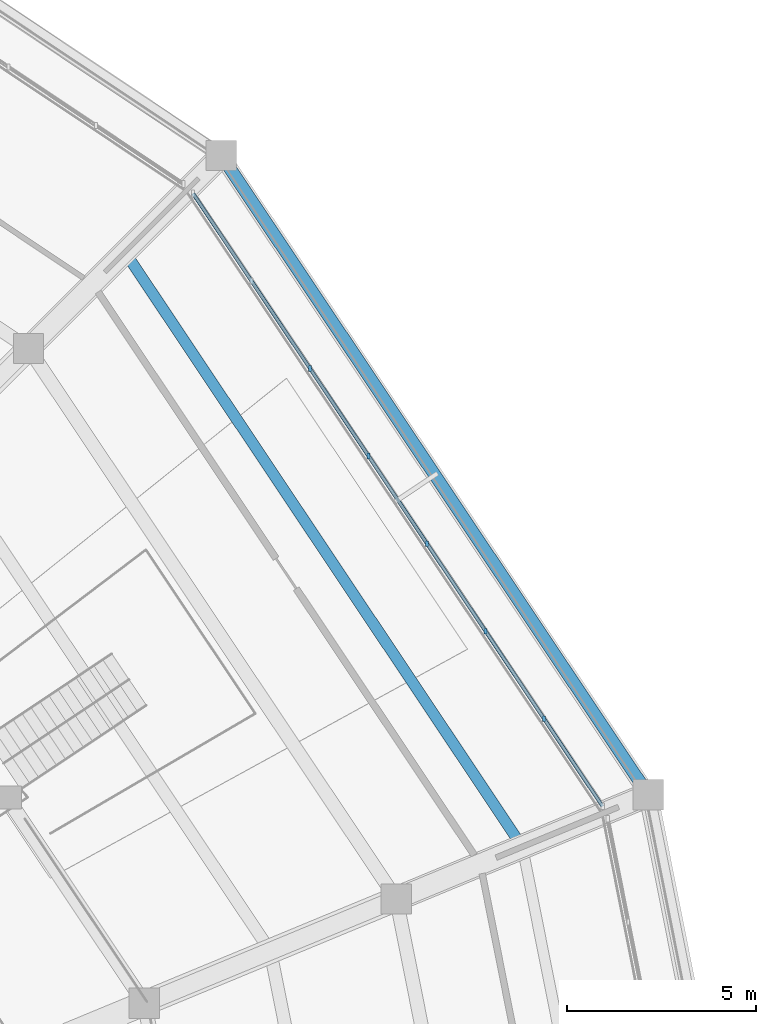
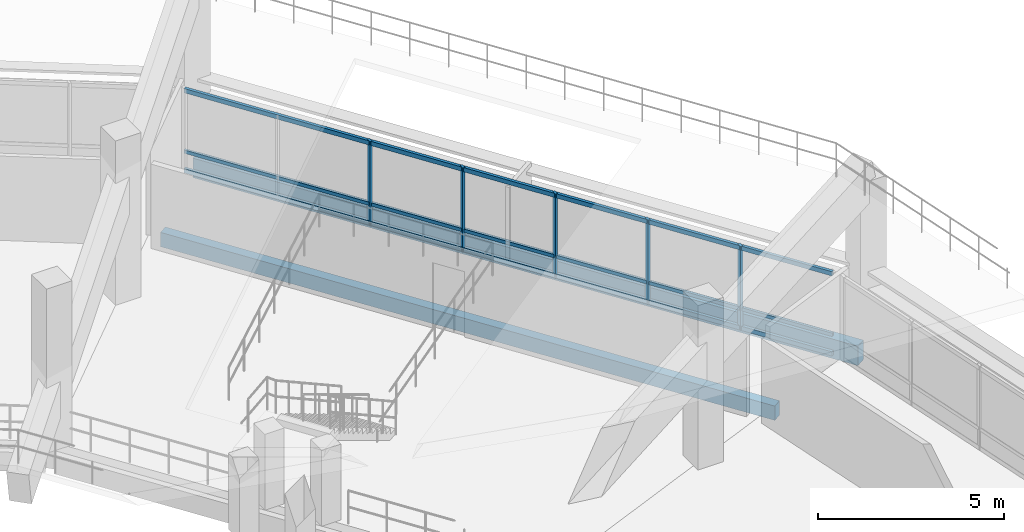
# One storey, part 38 of 96: 8 members, 2 beams, 1 element without a shape of its own.
"""IFC4 building model written with IfcOpenShell, lengths in metres."""

from ifc_helpers import new_model, si_unit, direction, frame, origin, origin_2d, place, context, subcontext, project, spatial, rectangle, extrude, material, material_profile, profile_set, type_object, element, aggregate, save


model = new_model("IFC4")

# Units and contexts
model_context = context("Model", 3, precision=1e-05, world=origin(), true_north=direction((0.0, 1.0)))
body_context = subcontext(model_context, "Body", "Model", "MODEL_VIEW")
ifc_project = project(units=[si_unit("LENGTHUNIT", "METRE"), si_unit("AREAUNIT", "SQUARE_METRE"), si_unit("VOLUMEUNIT", "CUBIC_METRE"), si_unit("PLANEANGLEUNIT", "RADIAN"), si_unit("MASSUNIT", "GRAM", prefix="KILO")], contexts=[model_context])

# Site, building, storey
site_placement = place(None, origin())
site = spatial("IfcSite", under=ifc_project, at=site_placement, CompositionType="ELEMENT")
building_placement = place(site_placement, origin())
building = spatial("IfcBuilding", under=site, at=building_placement, Name="Candeia Ridge Stadium", CompositionType="ELEMENT")
storey_placement = place(building_placement, frame((0.0, 0.0, 21.60009765625)))
storey = spatial("IfcBuildingStorey", under=building, at=storey_placement, Name="L04", CompositionType="ELEMENT", Elevation=21.60009765625)

# Curtain wall, members
ifc_material_1 = material(Name="Aluminium Anodized Warm Bronze", Category="aluminium")
curtain_wall_type = type_object("IfcCurtainWallType", Name="Concourse Recessed Unitised Curtain Wall", PredefinedType="NOTDEFINED", material=ifc_material_1)
curtain_wall_placement = place(storey_placement, origin())
curtain_wall = element("IfcCurtainWall", 1, at=curtain_wall_placement, inside=storey, type_object=curtain_wall_type, Name="Unitised curtain wall CW-BWL-L04-33", PredefinedType="NOTDEFINED")
ifc_material_profile_1 = material_profile(ifc_material_1, rectangle(XDim=0.074951171875, YDim=0.14990234375, at=origin_2d()), Name="CWM-75x150", Category="aluminium")
ifc_profile_set_1 = profile_set([ifc_material_profile_1], Name="Aluminium Anodized Warm Bronze")
member_type_1 = type_object("IfcMemberType", Name="Curtain Wall Secondary Mullion 75x150", PredefinedType="MULLION", material=ifc_profile_set_1)
member_1_placement = place(storey_placement, frame((186.28857421875, 116.901611328125, 0.0), z_axis=(0.0, 0.0, 1.0), x_axis=(1.0, 0.0, 0.0)))
member_1 = element("IfcMember", 2, at=member_1_placement, type_object=member_type_1, Name="Curtain wall mullion CW-BWL-L04-33-M1", PredefinedType="MULLION", context=body_context, shape_type="SweptSolid", body=[
    extrude(rectangle(XDim=0.074951171875, YDim=0.14990234375, at=origin_2d()), origin(), (0.0, 0.0, 1.0), 2.772216796875),
])
member_2_placement = place(storey_placement, frame((184.743896484375, 119.21337890625, 0.0), z_axis=(0.0, 0.0, 1.0), x_axis=(1.0, 0.0, 0.0)))
member_2 = element("IfcMember", 3, at=member_2_placement, type_object=member_type_1, Name="Curtain wall mullion CW-BWL-L04-33-M2", PredefinedType="MULLION", context=body_context, shape_type="SweptSolid", body=[
    extrude(rectangle(XDim=0.074951171875, YDim=0.14990234375, at=origin_2d()), origin(), (0.0, 0.0, 1.0), 2.772216796875),
])
member_3_placement = place(storey_placement, frame((183.19921875, 121.52490234375, 0.0), z_axis=(0.0, 0.0, 1.0), x_axis=(1.0, 0.0, 0.0)))
member_3 = element("IfcMember", 4, at=member_3_placement, type_object=member_type_1, Name="Curtain wall mullion CW-BWL-L04-33-M3", PredefinedType="MULLION", context=body_context, shape_type="SweptSolid", body=[
    extrude(rectangle(XDim=0.074951171875, YDim=0.14990234375, at=origin_2d()), origin(), (0.0, 0.0, 1.0), 2.772216796875),
])
member_4_placement = place(storey_placement, frame((181.65478515625, 123.83642578125, 0.0), z_axis=(0.0, 0.0, 1.0), x_axis=(1.0, 0.0, 0.0)))
member_4 = element("IfcMember", 5, at=member_4_placement, type_object=member_type_1, Name="Curtain wall mullion CW-BWL-L04-33-M4", PredefinedType="MULLION", context=body_context, shape_type="SweptSolid", body=[
    extrude(rectangle(XDim=0.074951171875, YDim=0.14990234375, at=origin_2d()), origin(), (0.0, 0.0, 1.0), 2.772216796875),
])
member_5_placement = place(storey_placement, frame((180.110107421875, 126.148193359375, 0.0), z_axis=(0.0, 0.0, 1.0), x_axis=(1.0, 0.0, 0.0)))
member_5 = element("IfcMember", 6, at=member_5_placement, type_object=member_type_1, Name="Curtain wall mullion CW-BWL-L04-33-M5", PredefinedType="MULLION", context=body_context, shape_type="SweptSolid", body=[
    extrude(rectangle(XDim=0.074951171875, YDim=0.14990234375, at=origin_2d()), origin(), (0.0, 0.0, 1.0), 2.772216796875),
])
ifc_material_profile_2 = material_profile(ifc_material_1, rectangle(XDim=0.074951171875, YDim=0.110107421875, at=origin_2d()), Name="CWT-75x110", Category="aluminium")
ifc_profile_set_2 = profile_set([ifc_material_profile_2], Name="Aluminium Anodized Warm Bronze")
member_type_2 = type_object("IfcMemberType", Name="Curtain Wall Secondary Transom 75x110", PredefinedType="USERDEFINED", material=ifc_profile_set_2)
member_6_placement = place(storey_placement, frame((187.8330078125, 114.590087890625, 0.693115234375), z_axis=(-0.555568394863, 0.831470840517, 0.0), x_axis=(-0.831470840517, -0.555568394863, 0.0)))
member_6 = element("IfcMember", 7, at=member_6_placement, type_object=member_type_2, Name="Curtain wall transom CW-BWL-L04-33-T1", ObjectType="TRANSOM", PredefinedType="USERDEFINED", context=body_context, shape_type="SweptSolid", body=[
    extrude(rectangle(XDim=0.074951171875, YDim=0.110107421875, at=origin_2d()), origin(), (0.0, 0.0, 1.0), 19.461181640625),
])
ifc_material_profile_3 = material_profile(ifc_material_1, rectangle(XDim=0.090087890625, YDim=0.139892578125, at=origin_2d()), Name="CWT-90x140", Category="aluminium")
ifc_profile_set_3 = profile_set([ifc_material_profile_3], Name="Aluminium Anodized Warm Bronze")
member_type_3 = type_object("IfcMemberType", Name="Curtain Wall Transom 90x140", PredefinedType="USERDEFINED", material=ifc_profile_set_3)
member_7_placement = place(storey_placement, frame((187.8330078125, 114.590087890625, 0.06982421875), z_axis=(-0.555568394863, 0.831470840517, 0.0), x_axis=(-0.831470840517, -0.555568394863, 0.0)))
member_7 = element("IfcMember", 8, at=member_7_placement, type_object=member_type_3, Name="Curtain wall transom CW-BWL-L04-33-T0", ObjectType="TRANSOM", PredefinedType="USERDEFINED", context=body_context, shape_type="SweptSolid", body=[
    extrude(rectangle(XDim=0.090087890625, YDim=0.139892578125, at=origin_2d()), origin(), (0.0, 0.0, 1.0), 19.461181640625),
])
member_8_placement = place(storey_placement, frame((187.8330078125, 114.590087890625, 2.7021484375), z_axis=(-0.555568394863, 0.831470840517, 0.0), x_axis=(-0.831470840517, -0.555568394863, 0.0)))
member_8 = element("IfcMember", 9, at=member_8_placement, type_object=member_type_3, Name="Curtain wall transom CW-BWL-L04-33-T2", ObjectType="TRANSOM", PredefinedType="USERDEFINED", context=body_context, shape_type="SweptSolid", body=[
    extrude(rectangle(XDim=0.090087890625, YDim=0.139892578125, at=origin_2d()), origin(), (0.0, 0.0, 1.0), 19.461181640625),
])
aggregate(curtain_wall, [member_1, member_2, member_3, member_4, member_5, member_7, member_6, member_8])

# Beams
ifc_material_2 = material(Name="Concrete C40/50", Category="concrete")
ifc_material_profile_4 = material_profile(ifc_material_2, rectangle(XDim=0.2900390625, YDim=0.469970703125, at=origin_2d()), Name="RC290x470", Category="concrete")
ifc_profile_set_4 = profile_set([ifc_material_profile_4], Name="Concrete C40/50")
beam_type_1 = type_object("IfcBeamType", Name="Floor Joist RC290x470", PredefinedType="JOIST", material=ifc_profile_set_4)
beam_1_placement = place(storey_placement, frame((185.592529296875, 113.70654296875, -0.4951171875), z_axis=(-0.555573683674, 0.831467306639, 0.0), x_axis=(-0.831467306639, -0.555573683674, 0.0)))
element("IfcBeam", 10, at=beam_1_placement, inside=storey, type_object=beam_type_1, Name="Concourse secondary joist BM-L04-0951", PredefinedType="JOIST", context=body_context, shape_type="SweptSolid", body=[
    extrude(rectangle(XDim=0.2900390625, YDim=0.469970703125, at=origin_2d()), origin(), (0.0, 0.0, 1.0), 18.440673828125),
])
ifc_material_profile_5 = material_profile(ifc_material_2, rectangle(XDim=0.330078125, YDim=0.639892578125, at=origin_2d()), Name="RC330x640", Category="concrete")
ifc_profile_set_5 = profile_set([ifc_material_profile_5], Name="Concrete C40/50")
beam_type_2 = type_object("IfcBeamType", Name="Spandrel Beam RC330x640", PredefinedType="SPANDREL", material=ifc_profile_set_5)
beam_2_placement = place(storey_placement, frame((188.952880859375, 115.032470703125, -0.580078125), z_axis=(-0.555571676938, 0.831468647505, 0.0), x_axis=(-0.831468647505, -0.555571676938, 0.0)))
element("IfcBeam", 11, at=beam_2_placement, inside=storey, type_object=beam_type_2, Name="Bowl perimeter spandrel BM-L04-0949", PredefinedType="SPANDREL", context=body_context, shape_type="SweptSolid", body=[
    extrude(rectangle(XDim=0.330078125, YDim=0.639892578125, at=origin_2d()), origin(), (0.0, 0.0, 1.0), 19.969482421875),
])

save(model, "model.ifc")
